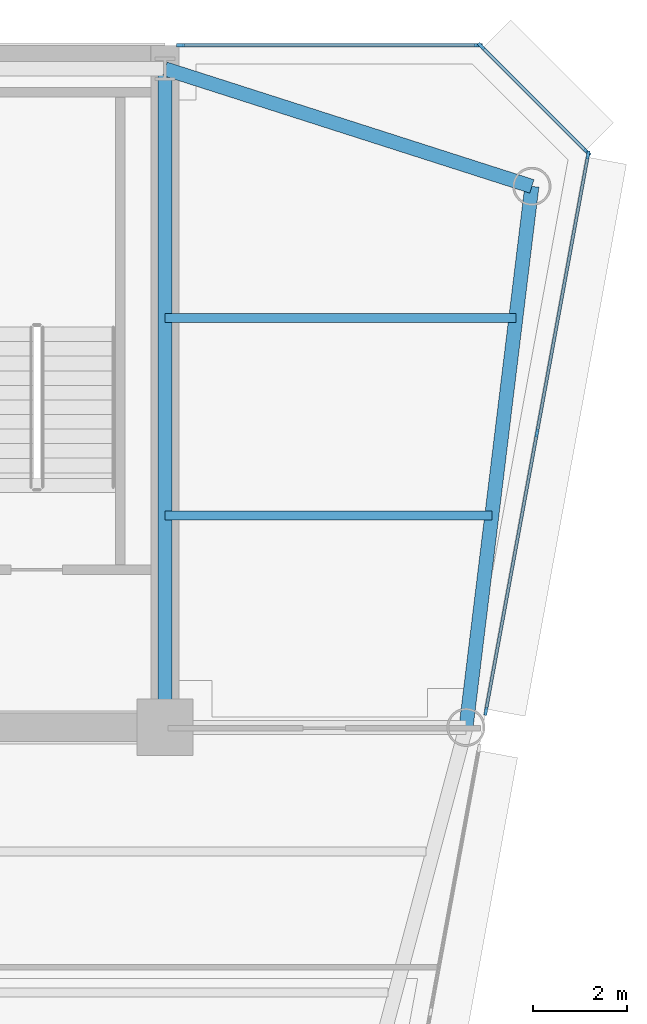
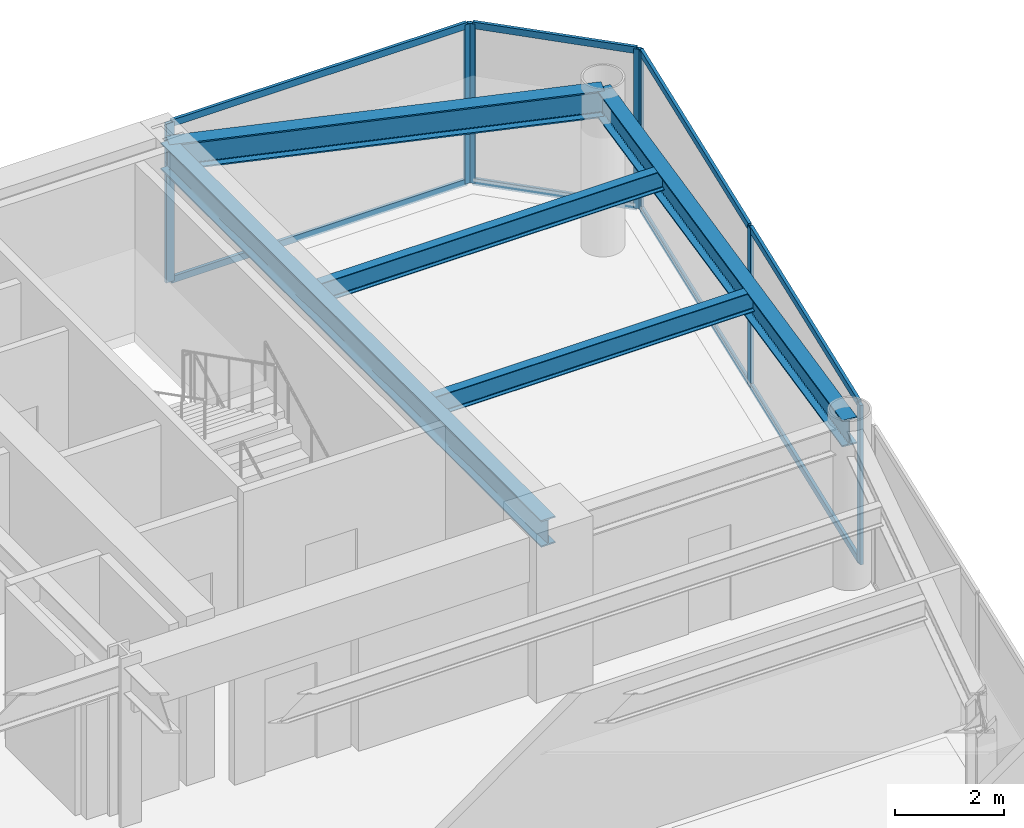
# One storey, part 9 of 17: 15 members, 5 beams, 3 elements without a shape of their own.
"""IFC4 building model written with IfcOpenShell, lengths in metres."""

from ifc_helpers import new_model, si_unit, direction, frame, origin, origin_2d, place, context, subcontext, project, spatial, rectangle, i_section, extrude, source, transform, mapped, material, layer, layer_set, material_profile, profile_set, type_object, element, aggregate, save


model = new_model("IFC4")

# Units and contexts
model_context = context("Model", 3, precision=1e-05, world=origin(), true_north=direction((0.0, 1.0)))
body_context = subcontext(model_context, "Body", "Model", "MODEL_VIEW")
ifc_project = project(units=[si_unit("LENGTHUNIT", "METRE"), si_unit("AREAUNIT", "SQUARE_METRE"), si_unit("VOLUMEUNIT", "CUBIC_METRE"), si_unit("PLANEANGLEUNIT", "RADIAN"), si_unit("MASSUNIT", "GRAM", prefix="KILO")], contexts=[model_context])

# Site, building, storey
site_placement = place(None, origin())
site = spatial("IfcSite", under=ifc_project, at=site_placement, CompositionType="ELEMENT")
building_placement = place(site_placement, origin())
building = spatial("IfcBuilding", under=site, at=building_placement, Name="Vaeldorn Concourse Tower", CompositionType="ELEMENT")
storey_placement = place(building_placement, frame((0.0, 0.0, 180.39990234375)))
storey = spatial("IfcBuildingStorey", under=building, at=storey_placement, Name="L46", CompositionType="ELEMENT", Elevation=180.39990234375)

# Beams
ifc_material_1 = material(Name="Steel S355", Category="steel")
ifc_material_profile_1 = material_profile(ifc_material_1, i_section(OverallWidth=0.18994140625, OverallDepth=0.449951171875, WebThickness=0.009521484375, FlangeThickness=0.0146484375, FilletRadius=0.02099609375, at=origin_2d()), Name="IPE 450")
ifc_profile_set_1 = profile_set([ifc_material_profile_1], Name="Steel S355")
beam_type_1 = type_object("IfcBeamType", Name="BM-JS-IPE450", PredefinedType="JOIST", material=ifc_profile_set_1)
shared_shape_1 = source(origin(), body_context, "Body", "SweptSolid", [
    extrude(i_section(OverallWidth=0.18994140625, OverallDepth=0.449951171875, WebThickness=0.009521484375, FlangeThickness=0.0146484375, FilletRadius=0.02099609375, at=origin_2d()), origin(), (0.0, 0.0, 1.0), 6.94775390625),
])
beam_1_placement = place(storey_placement, frame((54.0, 41.0, 3.35498046875), z_axis=(1.0, 0.0, 0.0), x_axis=(0.0, 1.0, 0.0)))
element("IfcBeam", 1, at=beam_1_placement, inside=storey, type_object=beam_type_1, Name="Beam JS-L46-NE-410", PredefinedType="JOIST", context=body_context, shape_type="MappedRepresentation", body=[
    mapped(shared_shape_1, transform((0.0, 0.0, 0.0), scale=1.0)),
])
shared_shape_2 = source(origin(), body_context, "Body", "SweptSolid", [
    extrude(i_section(OverallWidth=0.18994140625, OverallDepth=0.449951171875, WebThickness=0.009521484375, FlangeThickness=0.0146484375, FilletRadius=0.02099609375, at=origin_2d()), origin(), (0.0, 0.0, 1.0), 7.458984375),
])
beam_2_placement = place(storey_placement, frame((54.0, 45.199951171875, 3.35498046875), z_axis=(1.0, 0.0, 0.0), x_axis=(0.0, 1.0, 0.0)))
element("IfcBeam", 2, at=beam_2_placement, inside=storey, type_object=beam_type_1, Name="Beam JS-L46-NE-452", PredefinedType="JOIST", context=body_context, shape_type="MappedRepresentation", body=[
    mapped(shared_shape_2, transform((0.0, 0.0, 0.0), scale=1.0)),
])
ifc_material_profile_2 = material_profile(ifc_material_1, i_section(OverallWidth=0.300048828125, OverallDepth=0.60009765625, WebThickness=0.015380859375, FlangeThickness=0.030029296875, FilletRadius=0.027099609375, at=origin_2d()), Name="HEB 600")
ifc_profile_set_2 = profile_set([ifc_material_profile_2], Name="Steel S355")
beam_type_2 = type_object("IfcBeamType", Name="BM-PG-HEB600", PredefinedType="BEAM", material=ifc_profile_set_2)
shared_shape_3 = source(origin(), body_context, "Body", "SweptSolid", [
    extrude(i_section(OverallWidth=0.300048828125, OverallDepth=0.60009765625, WebThickness=0.015380859375, FlangeThickness=0.030029296875, FilletRadius=0.027099609375, at=origin_2d()), origin(), (0.0, 0.0, 1.0), 14.0),
])
beam_3_placement = place(storey_placement, frame((54.0, 36.5, 3.280029296875), z_axis=(0.0, 1.0, 0.0), x_axis=(-1.0, 0.0, 0.0)))
element("IfcBeam", 3, at=beam_3_placement, inside=storey, type_object=beam_type_2, Name="Beam BM-L46-C-FC6-C-HC5", PredefinedType="BEAM", context=body_context, shape_type="MappedRepresentation", body=[
    mapped(shared_shape_3, transform((0.0, 0.0, 0.0), scale=1.0)),
])
shared_shape_4 = source(origin(), body_context, "Body", "SweptSolid", [
    extrude(i_section(OverallWidth=0.300048828125, OverallDepth=0.60009765625, WebThickness=0.015380859375, FlangeThickness=0.030029296875, FilletRadius=0.027099609375, at=origin_2d()), origin(), (0.0, 0.0, 1.0), 8.19091796875),
])
beam_4_placement = place(storey_placement, frame((54.0, 50.5, 3.280029296875), z_axis=(0.952282843383, -0.305216949396, 0.0), x_axis=(0.305216949396, 0.952282843383, 0.0)))
element("IfcBeam", 4, at=beam_4_placement, inside=storey, type_object=beam_type_2, Name="Beam BM-L46-C-HC5-C-NE1", PredefinedType="BEAM", context=body_context, shape_type="MappedRepresentation", body=[
    mapped(shared_shape_4, transform((0.0, 0.0, 0.0), scale=1.0)),
])
shared_shape_5 = source(origin(), body_context, "Body", "SweptSolid", [
    extrude(i_section(OverallWidth=0.300048828125, OverallDepth=0.60009765625, WebThickness=0.015380859375, FlangeThickness=0.030029296875, FilletRadius=0.027099609375, at=origin_2d()), origin(), (0.0, 0.0, 1.0), 11.5849609375),
])
beam_5_placement = place(storey_placement, frame((61.800048828125, 48.0, 3.280029296875), z_axis=(-0.120859382899, -0.992669637677, 0.0), x_axis=(0.992669637677, -0.120859382899, 0.0)))
element("IfcBeam", 5, at=beam_5_placement, inside=storey, type_object=beam_type_2, Name="Beam BM-L46-C-NE1-C-NE2", PredefinedType="BEAM", context=body_context, shape_type="MappedRepresentation", body=[
    mapped(shared_shape_5, transform((0.0, 0.0, 0.0), scale=1.0)),
])

# Curtain wall, members
ifc_material_2 = material(Name="Anodised Bronze Aluminium", Category="aluminium")
ifc_layer_1 = layer(ifc_material_2, 0.18994140625)
ifc_layer_set_1 = layer_set([ifc_layer_1], Name="Anodised Bronze Aluminium")
curtain_wall_type_1 = type_object("IfcCurtainWallType", Name="CW-SYS-03", PredefinedType="NOTDEFINED", material=ifc_layer_set_1)
curtain_wall_1_placement = place(storey_placement, origin())
curtain_wall_1 = element("IfcCurtainWall", 6, at=curtain_wall_1_placement, inside=storey, type_object=curtain_wall_type_1, Name="Unitised Curtain Wall CW-L46-E08-1", PredefinedType="NOTDEFINED")
ifc_material_profile_3 = material_profile(ifc_material_2, rectangle(XDim=0.06494140625, YDim=0.14990234375, at=origin_2d()), Name="CWT 65x150")
ifc_profile_set_3 = profile_set([ifc_material_profile_3], Name="Anodised Bronze Aluminium")
member_type_1 = type_object("IfcMemberType", Name="CWT-BRONZE-150", PredefinedType="USERDEFINED", material=ifc_profile_set_3)
shared_shape_6 = source(origin(), body_context, "Body", "SweptSolid", [
    extrude(rectangle(XDim=0.06494140625, YDim=0.14990234375, at=origin_2d()), origin(), (0.0, 0.0, 1.0), 3.123046875),
])
member_1_placement = place(storey_placement, frame((62.9541015625, 48.745849609375, 0.03271484375), z_axis=(-0.707106781187, 0.707106781187, 0.0), x_axis=(-0.707106781187, -0.707106781187, 0.0)))
member_1 = element("IfcMember", 7, at=member_1_placement, type_object=member_type_1, Name="CW-03 transom 1.1", ObjectType="TRANSOM", PredefinedType="USERDEFINED", context=body_context, shape_type="MappedRepresentation", body=[
    mapped(shared_shape_6, transform((0.0, 0.0, 0.0), scale=1.0)),
])
member_2_placement = place(storey_placement, frame((62.9541015625, 48.745849609375, 3.547607421875), z_axis=(-0.707106781187, 0.707106781187, 0.0), x_axis=(-0.707106781187, -0.707106781187, 0.0)))
member_2 = element("IfcMember", 8, at=member_2_placement, type_object=member_type_1, Name="CW-03 transom 1.2", ObjectType="TRANSOM", PredefinedType="USERDEFINED", context=body_context, shape_type="MappedRepresentation", body=[
    mapped(shared_shape_6, transform((0.0, 0.0, 0.0), scale=1.0)),
])

ifc_layer_2 = layer(ifc_material_2, 0.2099609375)
ifc_layer_set_2 = layer_set([ifc_layer_2], Name="Anodised Bronze Aluminium")
curtain_wall_type_2 = type_object("IfcCurtainWallType", Name="CW-SYS-06", PredefinedType="NOTDEFINED", material=ifc_layer_set_2)
curtain_wall_2_placement = place(storey_placement, origin())
curtain_wall_2 = element("IfcCurtainWall", 9, at=curtain_wall_2_placement, inside=storey, type_object=curtain_wall_type_2, Name="Unitised Curtain Wall CW-L46-E07-2", PredefinedType="NOTDEFINED")
ifc_material_profile_4 = material_profile(ifc_material_2, rectangle(XDim=0.06494140625, YDim=0.169921875, at=origin_2d()), Name="CWM 65x170")
ifc_profile_set_4 = profile_set([ifc_material_profile_4], Name="Anodised Bronze Aluminium")
member_type_2 = type_object("IfcMemberType", Name="CWM-BRONZE-170", PredefinedType="MULLION", material=ifc_profile_set_4)
shared_shape_7 = source(origin(), body_context, "Body", "SweptSolid", [
    extrude(rectangle(XDim=0.06494140625, YDim=0.169921875, at=origin_2d()), origin(), (0.0, 0.0, 1.0), 3.580078125),
])
member_3_placement = place(storey_placement, frame((60.822265625, 36.83935546875, 0.0), z_axis=(0.0, 0.0, 1.0), x_axis=(-0.983559459619, 0.180584576845, 0.0)))
member_3 = element("IfcMember", 10, at=member_3_placement, type_object=member_type_2, Name="CW-06 mullion 1", PredefinedType="MULLION", context=body_context, shape_type="MappedRepresentation", body=[
    mapped(shared_shape_7, transform((0.0, 0.0, 0.0), scale=1.0)),
])
member_4_placement = place(storey_placement, frame((61.908203125, 42.753662109375, 0.0), z_axis=(0.0, 0.0, 1.0), x_axis=(-0.983559459619, 0.180584576845, 0.0)))
member_4 = element("IfcMember", 11, at=member_4_placement, type_object=member_type_2, Name="CW-06 mullion 2", PredefinedType="MULLION", context=body_context, shape_type="MappedRepresentation", body=[
    mapped(shared_shape_7, transform((0.0, 0.0, 0.0), scale=1.0)),
])
member_5_placement = place(storey_placement, frame((62.994140625, 48.66796875, 0.0), z_axis=(0.0, 0.0, 1.0), x_axis=(-0.983559459619, 0.180584576845, 0.0)))
member_5 = element("IfcMember", 12, at=member_5_placement, type_object=member_type_2, Name="CW-06 mullion 3", PredefinedType="MULLION", context=body_context, shape_type="MappedRepresentation", body=[
    mapped(shared_shape_7, transform((0.0, 0.0, 0.0), scale=1.0)),
])

# Member
member_6_placement = place(storey_placement, frame((62.97705078125, 48.722900390625, 0.0), z_axis=(0.0, 0.0, 1.0), x_axis=(-0.707106781187, -0.707106781187, 0.0)))
member_6 = element("IfcMember", 13, at=member_6_placement, type_object=member_type_2, Name="CW-03 mullion 1", PredefinedType="MULLION", context=body_context, shape_type="MappedRepresentation", body=[
    mapped(shared_shape_7, transform((0.0, 0.0, 0.0), scale=1.0)),
])

member_7_placement = place(storey_placement, frame((60.722900390625, 50.97705078125, 0.0), z_axis=(0.0, 0.0, 1.0), x_axis=(-0.707106781187, -0.707106781187, 0.0)))
member_7 = element("IfcMember", 14, at=member_7_placement, type_object=member_type_2, Name="CW-03 mullion 2", PredefinedType="MULLION", context=body_context, shape_type="MappedRepresentation", body=[
    mapped(shared_shape_7, transform((0.0, 0.0, 0.0), scale=1.0)),
])

aggregate(curtain_wall_1, [member_6, member_7, member_1, member_2])

# Curtain wall, members
curtain_wall_3_placement = place(storey_placement, origin())
curtain_wall_3 = element("IfcCurtainWall", 15, at=curtain_wall_3_placement, inside=storey, type_object=curtain_wall_type_1, Name="Unitised Curtain Wall CW-L46-E09-1", PredefinedType="NOTDEFINED")
member_8_placement = place(storey_placement, frame((60.66748046875, 51.0, 0.0), z_axis=(0.0, 0.0, 1.0), x_axis=(0.0, -1.0, 0.0)))
member_8 = element("IfcMember", 16, at=member_8_placement, type_object=member_type_2, Name="CW-03 mullion 1", PredefinedType="MULLION", context=body_context, shape_type="MappedRepresentation", body=[
    mapped(shared_shape_7, transform((0.0, 0.0, 0.0), scale=1.0)),
])
member_9_placement = place(storey_placement, frame((54.327392578125, 51.0, 0.0), z_axis=(0.0, 0.0, 1.0), x_axis=(0.0, -1.0, 0.0)))
member_9 = element("IfcMember", 17, at=member_9_placement, type_object=member_type_2, Name="CW-03 mullion 2", PredefinedType="MULLION", context=body_context, shape_type="MappedRepresentation", body=[
    mapped(shared_shape_7, transform((0.0, 0.0, 0.0), scale=1.0)),
])
shared_shape_8 = source(origin(), body_context, "Body", "SweptSolid", [
    extrude(rectangle(XDim=0.06494140625, YDim=0.14990234375, at=origin_2d()), origin(), (0.0, 0.0, 1.0), 6.27490234375),
])
member_10_placement = place(storey_placement, frame((60.635009765625, 51.0, 0.03271484375), z_axis=(-1.0, 0.0, 0.0), x_axis=(0.0, -1.0, 0.0)))
member_10 = element("IfcMember", 18, at=member_10_placement, type_object=member_type_1, Name="CW-03 transom 1.1", ObjectType="TRANSOM", PredefinedType="USERDEFINED", context=body_context, shape_type="MappedRepresentation", body=[
    mapped(shared_shape_8, transform((0.0, 0.0, 0.0), scale=1.0)),
])
member_11_placement = place(storey_placement, frame((60.635009765625, 51.0, 3.547607421875), z_axis=(-1.0, 0.0, 0.0), x_axis=(0.0, -1.0, 0.0)))
member_11 = element("IfcMember", 19, at=member_11_placement, type_object=member_type_1, Name="CW-03 transom 1.2", ObjectType="TRANSOM", PredefinedType="USERDEFINED", context=body_context, shape_type="MappedRepresentation", body=[
    mapped(shared_shape_8, transform((0.0, 0.0, 0.0), scale=1.0)),
])
aggregate(curtain_wall_3, [member_8, member_9, member_10, member_11])

# Member
shared_shape_9 = source(origin(), body_context, "Body", "SweptSolid", [
    extrude(rectangle(XDim=0.06494140625, YDim=0.14990234375, at=origin_2d()), origin(), (0.0, 0.0, 1.0), 5.9482421875),
])
member_12_placement = place(storey_placement, frame((60.828125, 36.871337890625, 0.03271484375), z_axis=(0.180597229094, 0.983557136542, 0.0), x_axis=(-0.983557136542, 0.180597229094, 0.0)))
member_12 = element("IfcMember", 20, at=member_12_placement, type_object=member_type_1, Name="CW-06 transom 1.1", ObjectType="TRANSOM", PredefinedType="USERDEFINED", context=body_context, shape_type="MappedRepresentation", body=[
    mapped(shared_shape_9, transform((0.0, 0.0, 0.0), scale=1.0)),
])

member_13_placement = place(storey_placement, frame((60.828125, 36.871337890625, 3.547607421875), z_axis=(0.180597229094, 0.983557136542, 0.0), x_axis=(-0.983557136542, 0.180597229094, 0.0)))
member_13 = element("IfcMember", 21, at=member_13_placement, type_object=member_type_1, Name="CW-06 transom 1.2", ObjectType="TRANSOM", PredefinedType="USERDEFINED", context=body_context, shape_type="MappedRepresentation", body=[
    mapped(shared_shape_9, transform((0.0, 0.0, 0.0), scale=1.0)),
])

member_14_placement = place(storey_placement, frame((61.9140625, 42.78564453125, 0.03271484375), z_axis=(0.180597229094, 0.983557136542, 0.0), x_axis=(-0.983557136542, 0.180597229094, 0.0)))
member_14 = element("IfcMember", 22, at=member_14_placement, type_object=member_type_1, Name="CW-06 transom 2.1", ObjectType="TRANSOM", PredefinedType="USERDEFINED", context=body_context, shape_type="MappedRepresentation", body=[
    mapped(shared_shape_9, transform((0.0, 0.0, 0.0), scale=1.0)),
])

member_15_placement = place(storey_placement, frame((61.9140625, 42.78564453125, 3.547607421875), z_axis=(0.180597229094, 0.983557136542, 0.0), x_axis=(-0.983557136542, 0.180597229094, 0.0)))
member_15 = element("IfcMember", 23, at=member_15_placement, type_object=member_type_1, Name="CW-06 transom 2.2", ObjectType="TRANSOM", PredefinedType="USERDEFINED", context=body_context, shape_type="MappedRepresentation", body=[
    mapped(shared_shape_9, transform((0.0, 0.0, 0.0), scale=1.0)),
])

aggregate(curtain_wall_2, [member_3, member_4, member_5, member_12, member_13, member_14, member_15])

save(model, "model.ifc")
